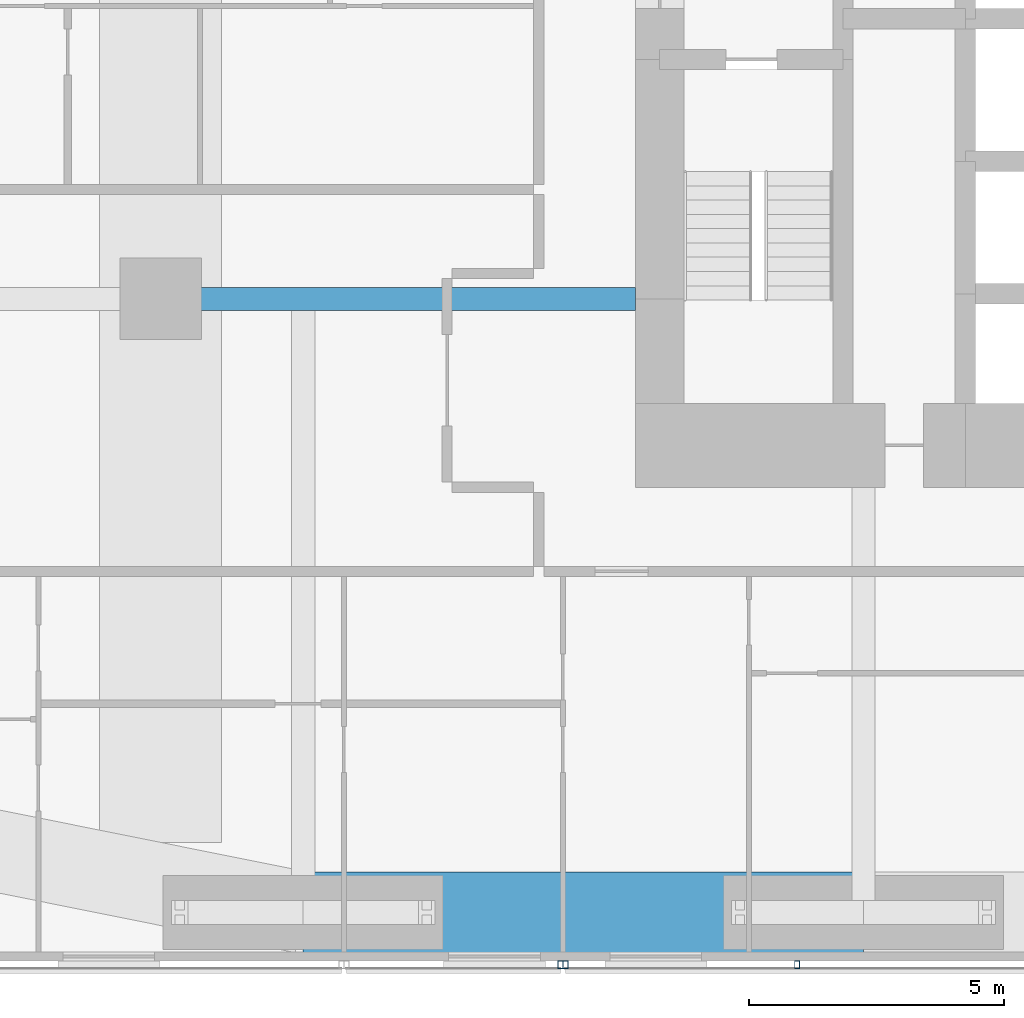
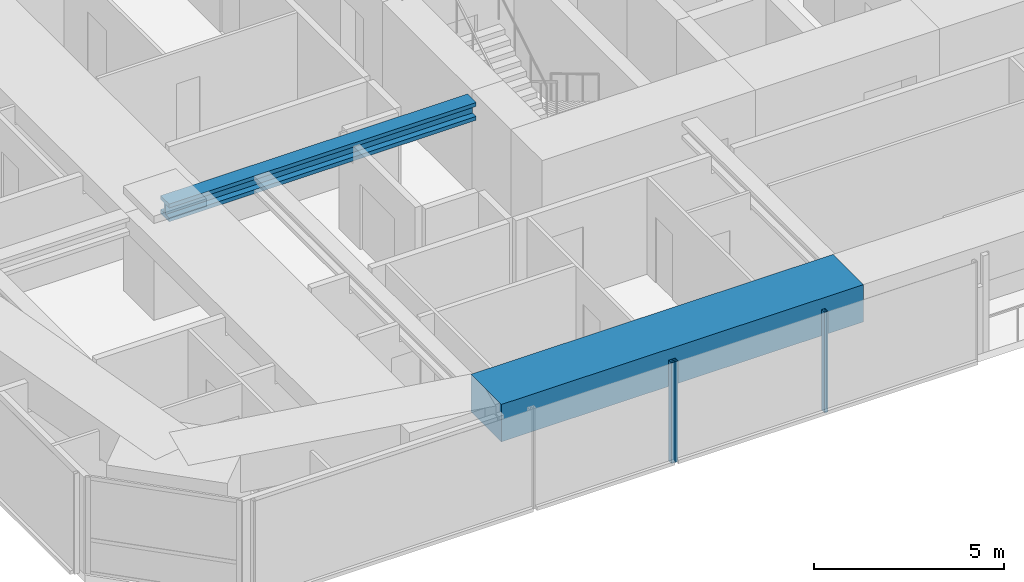
# One storey, part 4 of 24: 3 members, 2 beams, 2 elements without a shape of their own.
"""IFC4 building model written with IfcOpenShell, lengths in metres."""

from ifc_helpers import new_model, si_unit, direction, frame, origin, origin_2d, place, context, subcontext, project, spatial, rectangle, hollow_rectangle, i_section, extrude, material, material_profile, profile_set, type_object, element, aggregate, save


model = new_model("IFC4")

# Units and contexts
model_context = context("Model", 3, precision=1e-05, world=origin(), true_north=direction((0.0, 1.0)))
body_context = subcontext(model_context, "Body", "Model", "MODEL_VIEW")
ifc_project = project(units=[si_unit("LENGTHUNIT", "METRE"), si_unit("AREAUNIT", "SQUARE_METRE"), si_unit("VOLUMEUNIT", "CUBIC_METRE"), si_unit("PLANEANGLEUNIT", "RADIAN"), si_unit("MASSUNIT", "GRAM", prefix="KILO")], contexts=[model_context])

# Site, building, storey
site_placement = place(None, origin())
site = spatial("IfcSite", under=ifc_project, at=site_placement, CompositionType="ELEMENT")
building_placement = place(site_placement, origin())
building = spatial("IfcBuilding", under=site, at=building_placement, Name="Jalousie Tower", CompositionType="ELEMENT")
storey_placement = place(building_placement, frame((0.0, 0.0, 47.800048828125)))
storey = spatial("IfcBuildingStorey", under=building, at=storey_placement, Name="L12", CompositionType="ELEMENT", Elevation=47.800048828125)

# Beams
ifc_material_1 = material(Name="Steel ASTM A992 Grade 50", Category="steel")
ifc_material_profile_1 = material_profile(ifc_material_1, i_section(OverallWidth=0.45458984375, OverallDepth=0.569091796875, WebThickness=0.077880859375, FlangeThickness=0.124755859375, at=origin_2d()), Name="W14X730")
ifc_profile_set_1 = profile_set([ifc_material_profile_1], Name="Steel ASTM A992 Grade 50")
beam_type_1 = type_object("IfcBeamType", Name="LEAN COLLECTOR W14X730", PredefinedType="BEAM", material=ifc_profile_set_1)
beam_1_placement = place(storey_placement, frame((10.199951171875, 13.0, 2.825439453125), z_axis=(1.0, 0.0, 0.0), x_axis=(0.0, 1.0, 0.0)))
element("IfcBeam", 1, at=beam_1_placement, inside=storey, type_object=beam_type_1, Name="Lean collector under L13", PredefinedType="BEAM", context=body_context, shape_type="SweptSolid", body=[
    extrude(i_section(OverallWidth=0.45458984375, OverallDepth=0.569091796875, WebThickness=0.077880859375, FlangeThickness=0.124755859375, at=origin_2d()), origin(), (0.0, 0.0, 1.0), 9.324951171875),
])
ifc_material_2 = material(Name="Concrete f'c 40 MPa", Category="concrete")
ifc_material_profile_2 = material_profile(ifc_material_2, rectangle(XDim=1.60009765625, YDim=1.199951171875, at=origin_2d()), Name="RC 1600x1200")
ifc_profile_set_2 = profile_set([ifc_material_profile_2], Name="Concrete f'c 40 MPa")
beam_type_2 = type_object("IfcBeamType", Name="RC BEAM 1600x1200", PredefinedType="BEAM", material=ifc_profile_set_2)
beam_2_placement = place(storey_placement, frame((13.0, 0.949951171875, 2.75), z_axis=(1.0, 0.0, 0.0), x_axis=(0.0, 1.0, 0.0)))
element("IfcBeam", 2, at=beam_2_placement, inside=storey, type_object=beam_type_2, Name="Edge band beam 02-03 under L13", PredefinedType="BEAM", context=body_context, shape_type="SweptSolid", body=[
    extrude(rectangle(XDim=1.60009765625, YDim=1.199951171875, at=origin_2d()), origin(), (0.0, 0.0, 1.0), 11.0),
])

# Curtain wall, member
ifc_material_3 = material(Name="Perforated aluminium sheet", Category="aluminium")
curtain_wall_type = type_object("IfcCurtainWallType", Name="SOLAR SCREEN SS-1", PredefinedType="USERDEFINED", material=ifc_material_3)
curtain_wall_1_placement = place(storey_placement, origin())
curtain_wall_1 = element("IfcCurtainWall", 3, at=curtain_wall_1_placement, inside=storey, type_object=curtain_wall_type, Name="Solar screen L12", ObjectType="SOLAR SCREEN SS-1", PredefinedType="USERDEFINED")
ifc_material_4 = material(Name="Steel ASTM A500 Grade C", Category="steel")
ifc_material_profile_3 = material_profile(ifc_material_4, hollow_rectangle(XDim=0.1015625, YDim=0.15234375, WallThickness=0.00634765625, at=origin_2d()), Name="HSS6X4X1/4")
ifc_profile_set_3 = profile_set([ifc_material_profile_3], Name="Steel ASTM A500 Grade C")
member_type = type_object("IfcMemberType", Name="SOLAR SCREEN SS-1 MULLION", PredefinedType="MULLION", material=ifc_profile_set_3)
member_1_placement = place(storey_placement, frame((18.050048828125, -0.0712890625, -0.1201171875), z_axis=(0.0, 0.0, 1.0), x_axis=(1.0, 0.0, 0.0)))
member_1 = element("IfcMember", 4, at=member_1_placement, type_object=member_type, Name="SS1 post 2", PredefinedType="MULLION", context=body_context, shape_type="SweptSolid", body=[
    extrude(hollow_rectangle(XDim=0.1015625, YDim=0.15234375, WallThickness=0.00634765625, at=origin_2d()), origin(), (0.0, 0.0, 1.0), 3.22998046875),
])
aggregate(curtain_wall_1, [member_1])

# Curtain wall, members
curtain_wall_2_placement = place(storey_placement, origin())
curtain_wall_2 = element("IfcCurtainWall", 5, at=curtain_wall_2_placement, inside=storey, type_object=curtain_wall_type, Name="Solar screen L12", ObjectType="SOLAR SCREEN SS-1", PredefinedType="USERDEFINED")
member_2_placement = place(storey_placement, frame((18.14990234375, -0.0712890625, -0.1201171875), z_axis=(0.0, 0.0, 1.0), x_axis=(1.0, 0.0, 0.0)))
member_2 = element("IfcMember", 6, at=member_2_placement, type_object=member_type, Name="SS1 post 1", PredefinedType="MULLION", context=body_context, shape_type="SweptSolid", body=[
    extrude(hollow_rectangle(XDim=0.1015625, YDim=0.15234375, WallThickness=0.00634765625, at=origin_2d()), origin(), (0.0, 0.0, 1.0), 3.22998046875),
])
member_3_placement = place(storey_placement, frame((22.699951171875, -0.0712890625, -0.1201171875), z_axis=(0.0, 0.0, 1.0), x_axis=(1.0, 0.0, 0.0)))
member_3 = element("IfcMember", 7, at=member_3_placement, type_object=member_type, Name="SS1 post 2", PredefinedType="MULLION", context=body_context, shape_type="SweptSolid", body=[
    extrude(hollow_rectangle(XDim=0.1015625, YDim=0.15234375, WallThickness=0.00634765625, at=origin_2d()), origin(), (0.0, 0.0, 1.0), 3.22998046875),
])
aggregate(curtain_wall_2, [member_2, member_3])

save(model, "model.ifc")
